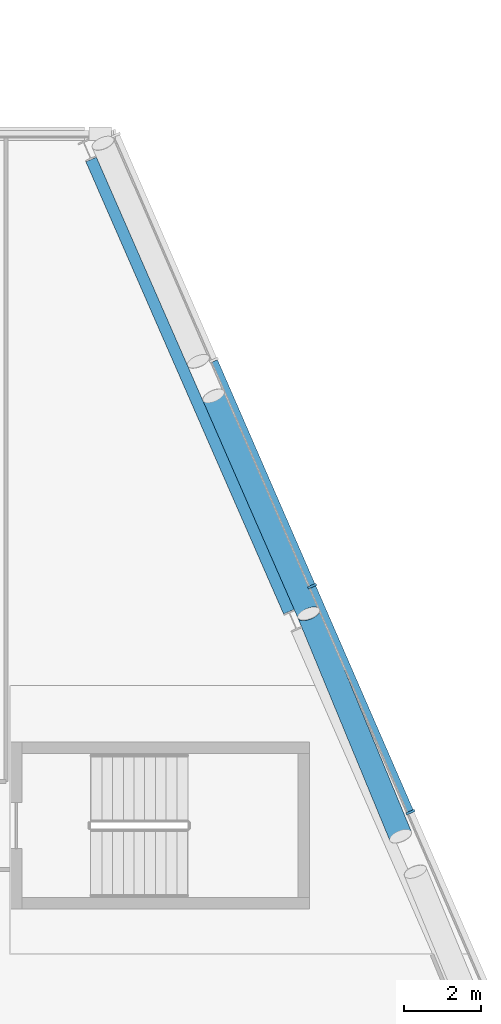
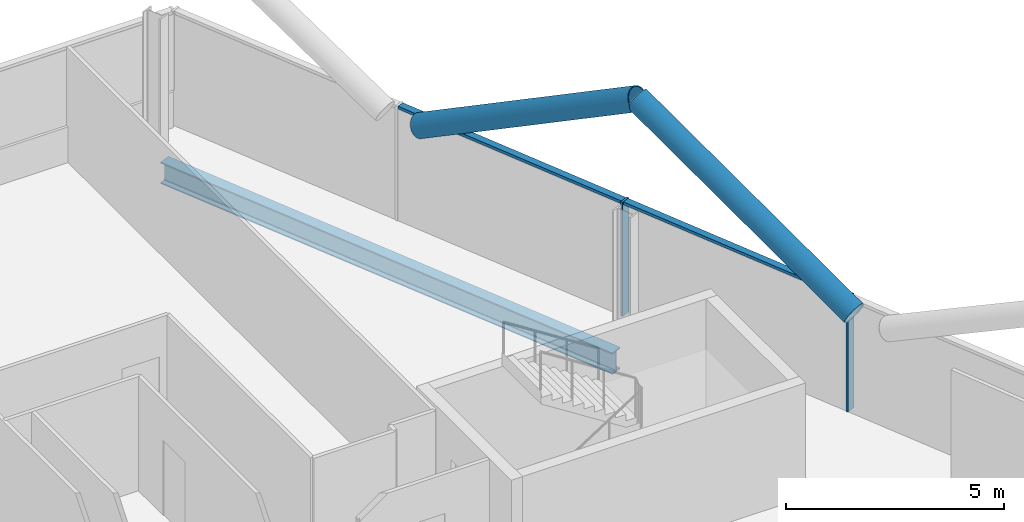
# One storey, part 9 of 27: 6 members, 1 beam, 1 element without a shape of its own.
"""IFC4 building model written with IfcOpenShell, lengths in metres."""

from ifc_helpers import new_model, si_unit, direction, frame, origin, origin_2d, place, context, subcontext, project, spatial, rectangle, hollow_circle, i_section, extrude, material, material_profile, profile_set, type_object, element, aggregate, save


model = new_model("IFC4")

# Units and contexts
model_context = context("Model", 3, precision=1e-05, world=origin(), true_north=direction((0.0, 1.0)))
body_context = subcontext(model_context, "Body", "Model", "MODEL_VIEW")
ifc_project = project(units=[si_unit("LENGTHUNIT", "METRE"), si_unit("AREAUNIT", "SQUARE_METRE"), si_unit("VOLUMEUNIT", "CUBIC_METRE"), si_unit("PLANEANGLEUNIT", "RADIAN"), si_unit("MASSUNIT", "GRAM", prefix="KILO")], contexts=[model_context])

# Site, building, storey
site_placement = place(None, origin())
site = spatial("IfcSite", under=ifc_project, at=site_placement, CompositionType="ELEMENT")
building_placement = place(site_placement, origin())
building = spatial("IfcBuilding", under=site, at=building_placement, Name="Wharfspan Tower", CompositionType="ELEMENT")
storey_placement = place(building_placement, frame((0.0, 0.0, 228.699951)))
storey = spatial("IfcBuildingStorey", under=building, at=storey_placement, Name="L57", CompositionType="ELEMENT", Elevation=228.699951)

# Beam
ifc_material_1 = material(Name="Steel S355J2", Category="steel")
ifc_material_profile_1 = material_profile(ifc_material_1, i_section(OverallWidth=0.300049, OverallDepth=0.600098, WebThickness=0.015381, FlangeThickness=0.030029, FilletRadius=0.0271, at=origin_2d()))
ifc_profile_set_1 = profile_set([ifc_material_profile_1], Name="Steel S355J2")
beam_type = type_object("IfcBeamType", Name="Edge beam HEB 600", PredefinedType="SPANDREL", material=ifc_profile_set_1)
beam_placement = place(storey_placement, frame((74.13208, 29.53125, -0.699951), z_axis=(-0.400619, 0.916245, 0.0), x_axis=(-0.916245, -0.400619, 0.0)))
element("IfcBeam", 1, at=beam_placement, inside=storey, type_object=beam_type, Name="Edge beam E L57 PE.2 to PE.3", PredefinedType="SPANDREL", context=body_context, shape_type="SweptSolid", body=[
    extrude(i_section(OverallWidth=0.300049, OverallDepth=0.600098, WebThickness=0.015381, FlangeThickness=0.030029, FilletRadius=0.0271, at=origin_2d()), origin(), (0.0, 0.0, 1.0), 12.883545),
])

# Curtain wall, members
ifc_material_2 = material(Name="Aluminium 6063-T6", Category="aluminium")
curtain_wall_type = type_object("IfcCurtainWallType", Name="CURTAIN WALL PROW AND END", PredefinedType="NOTDEFINED", material=ifc_material_2)
curtain_wall_placement = place(storey_placement, origin())
curtain_wall = element("IfcCurtainWall", 2, at=curtain_wall_placement, inside=storey, type_object=curtain_wall_type, Name="Curtain wall E", PredefinedType="NOTDEFINED")
ifc_material_profile_2 = material_profile(ifc_material_2, rectangle(XDim=0.23999, YDim=0.060059, at=origin_2d()))
ifc_profile_set_2 = profile_set([ifc_material_profile_2], Name="Aluminium 6063-T6")
member_type_1 = type_object("IfcMemberType", Name="MULLION PROW AND END 60x240", PredefinedType="MULLION", material=ifc_profile_set_2)
member_1_placement = place(storey_placement, frame((77.304443, 24.300049, 0.0), z_axis=(0.0, 0.0, 1.0), x_axis=(-0.917072, -0.398727, 0.0)))
member_1 = element("IfcMember", 3, at=member_1_placement, type_object=member_type_1, Name="Curtain wall E mullion 4", PredefinedType="MULLION", context=body_context, shape_type="SweptSolid", body=[
    extrude(rectangle(XDim=0.23999, YDim=0.060059, at=origin_2d()), origin(), (0.0, 0.0, 1.0), 3.199951),
])
member_2_placement = place(storey_placement, frame((74.739014, 30.199951, 0.0), z_axis=(0.0, 0.0, 1.0), x_axis=(-0.917072, -0.398727, 0.0)))
member_2 = element("IfcMember", 4, at=member_2_placement, type_object=member_type_1, Name="Curtain wall E mullion 5", PredefinedType="MULLION", context=body_context, shape_type="SweptSolid", body=[
    extrude(rectangle(XDim=0.23999, YDim=0.060059, at=origin_2d()), origin(), (0.0, 0.0, 1.0), 3.199951),
])

# Members
ifc_material_3 = material(Name="Steel S460NH", Category="steel")
ifc_material_profile_3 = material_profile(ifc_material_3, hollow_circle(Radius=0.304932, WallThickness=0.024902, at=origin_2d()))
ifc_profile_set_3 = profile_set([ifc_material_profile_3], Name="Steel S460NH")
member_type_2 = type_object("IfcMemberType", Name="Mega brace CHS 610x25", PredefinedType="BRACE", material=ifc_profile_set_3)
member_3_placement = place(storey_placement, frame((77.047607, 23.675049, 3.16748), z_axis=(-0.337038, 0.81638, 0.468967), x_axis=(-0.924329, -0.381603, -2e-06)))
element("IfcMember", 5, at=member_3_placement, inside=storey, type_object=member_type_2, Name="Mega brace E5 L57 part 2", PredefinedType="BRACE", context=body_context, shape_type="SweptSolid", body=[
    extrude(hollow_circle(Radius=0.304932, WallThickness=0.024902, at=origin_2d()), origin(), (0.0, 0.0, 1.0), 7.106201),
])
member_4_placement = place(storey_placement, frame((72.16748, 35.160156, 3.166748), z_axis=(0.352889, -0.807113, 0.473327), x_axis=(0.916248, 0.400606, 1e-06)))
element("IfcMember", 6, at=member_4_placement, inside=storey, type_object=member_type_2, Name="Mega brace E6 L57 part 4", PredefinedType="BRACE", context=body_context, shape_type="SweptSolid", body=[
    extrude(hollow_circle(Radius=0.304932, WallThickness=0.024902, at=origin_2d()), origin(), (0.0, 0.0, 1.0), 7.042236),
])

# Member
ifc_material_profile_4 = material_profile(ifc_material_2, rectangle(XDim=0.179932, YDim=0.080078, at=origin_2d()))
ifc_profile_set_4 = profile_set([ifc_material_profile_4], Name="Aluminium 6063-T6")
member_type_3 = type_object("IfcMemberType", Name="TRANSOM PROW AND END 80x180", PredefinedType="USERDEFINED", material=ifc_profile_set_4)
member_5_placement = place(storey_placement, frame((77.29248, 24.327393, 3.160156), z_axis=(-0.39874, 0.917064, 0.0), x_axis=(-0.917064, -0.39874, 0.0)))
member_5 = element("IfcMember", 7, at=member_5_placement, type_object=member_type_3, Name="Curtain wall E transom 4", ObjectType="TRANSOM", PredefinedType="USERDEFINED", context=body_context, shape_type="SweptSolid", body=[
    extrude(rectangle(XDim=0.179932, YDim=0.080078, at=origin_2d()), origin(), (0.0, 0.0, 1.0), 6.373779),
])

member_6_placement = place(storey_placement, frame((74.727051, 30.227539, 3.160156), z_axis=(-0.398722, 0.917072, 0.0), x_axis=(-0.917072, -0.398722, 0.0)))
member_6 = element("IfcMember", 8, at=member_6_placement, type_object=member_type_3, Name="Curtain wall E transom 5", ObjectType="TRANSOM", PredefinedType="USERDEFINED", context=body_context, shape_type="SweptSolid", body=[
    extrude(rectangle(XDim=0.179932, YDim=0.080078, at=origin_2d()), origin(), (0.0, 0.0, 1.0), 6.373535),
])

aggregate(curtain_wall, [member_1, member_2, member_5, member_6])

save(model, "model.ifc")
